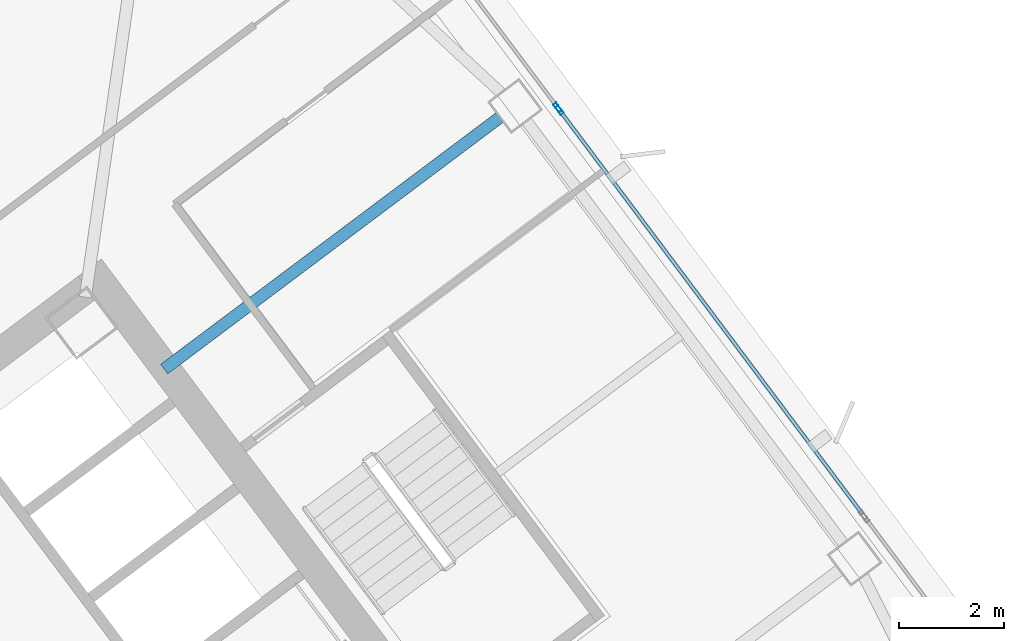
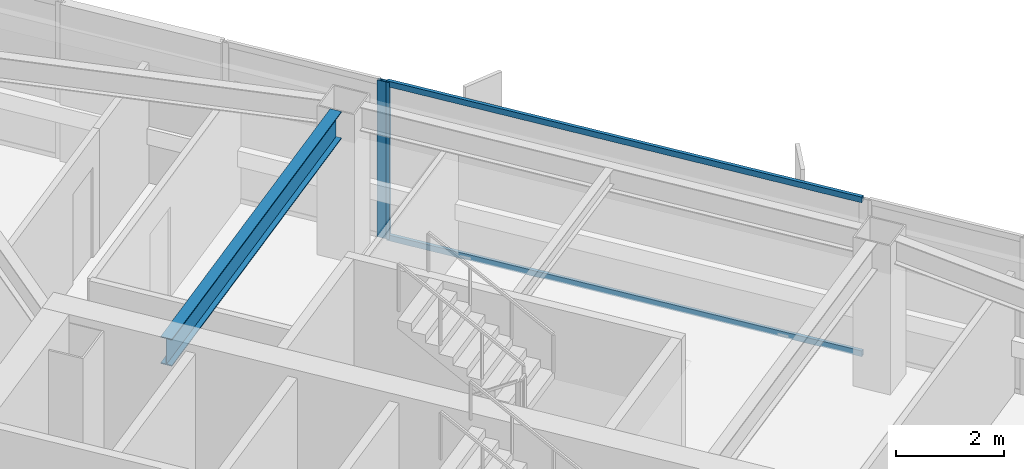
# One storey, part 32 of 46: 4 members, 1 beam, 2 elements without a shape of their own.
"""IFC4 building model written with IfcOpenShell, lengths in metres."""

import ifcopenshell
import ifcopenshell.guid

model = None  # the IFC model being written
_history = None  # IfcOwnerHistory: only IFC2X3 demands one
_inside = {}  # id of a spatial element -> (the spatial element, [elements in it])
_under = {}  # id of a project, library or spatial element -> (it, [spatial elements below it])
_declared = {}  # id of a project -> (the project, [libraries it declares])
_typed = {}  # id of a type object -> (the type object, [elements of that type])
_made_of = {}  # id of a material, layer set ... -> (it, [elements and type objects made of it])


def new_model(schema):
    """Start an empty IFC model of exactly this schema.

    Asked for "IFC4X3", IfcOpenShell would pick the latest addendum, in which some entities
    have other attributes; the version numbers below select the first issue.
    IFC2X3 requires an IfcOwnerHistory on every rooted entity: one is made here for all.
    """
    global model, _history
    if schema == "IFC4X3":
        model = ifcopenshell.file(schema_version=(4, 3, 0, 0))
    else:
        model = ifcopenshell.file(schema=schema)
    _inside.clear()
    _under.clear()
    _declared.clear()
    _typed.clear()
    _made_of.clear()
    _history = None
    if model.schema == "IFC2X3":
        org = make("IfcOrganization", Name="unknown")
        user = make(
            "IfcPersonAndOrganization",
            ThePerson=make("IfcPerson", FamilyName="unknown"),
            TheOrganization=org,
        )
        app = make(
            "IfcApplication",
            ApplicationDeveloper=org,
            Version="unknown",
            ApplicationFullName="unknown",
            ApplicationIdentifier="unknown",
        )
        _history = make(
            "IfcOwnerHistory",
            OwningUser=user,
            OwningApplication=app,
            ChangeAction="ADDED",
            CreationDate=0,
        )
    return model


def make(cls, **values):
    """One entity of the class cls with the attributes given. An attribute that is None is left unset."""
    return model.create_entity(
        cls, **{name: value for name, value in values.items() if value is not None}
    )


def rooted(cls, **values):
    """An entity with a GlobalId (a new one), such as an element, a storey or a relation."""
    return make(cls, GlobalId=ifcopenshell.guid.new(), OwnerHistory=_history, **values)


def si_unit(unit_type, name, prefix=None):
    """IfcSIUnit, for example si_unit("LENGTHUNIT", "METRE", prefix="MILLI")."""
    return make("IfcSIUnit", UnitType=unit_type, Prefix=prefix, Name=name)


def assignment(units):
    """IfcUnitAssignment: the units of a project."""
    return None if units is None else make("IfcUnitAssignment", Units=units)


def point(xyz):
    """IfcCartesianPoint."""
    return None if xyz is None else make("IfcCartesianPoint", Coordinates=xyz)


def direction(xyz):
    """IfcDirection."""
    return None if xyz is None else make("IfcDirection", DirectionRatios=xyz)


def frame(location, z_axis=None, x_axis=None):
    """IfcAxis2Placement3D, a coordinate frame: its origin and axes. An axis left out is left unset."""
    return make(
        "IfcAxis2Placement3D",
        Location=point(location),
        Axis=direction(z_axis),
        RefDirection=direction(x_axis),
    )


def frame_2d(location, x_axis=None):
    """IfcAxis2Placement2D, a coordinate frame in the plane: its origin and x axis."""
    return make(
        "IfcAxis2Placement2D", Location=point(location), RefDirection=direction(x_axis)
    )


def origin():
    """The frame at (0, 0, 0) with its axes left unset."""
    return frame((0.0, 0.0, 0.0))


def origin_2d():
    """The frame at (0, 0) in the plane with its x axis left unset."""
    return frame_2d((0.0, 0.0))


def place(relative_to, where):
    """IfcLocalPlacement: puts the frame where relative to a parent placement (None: the world)."""
    return make(
        "IfcLocalPlacement", PlacementRelTo=relative_to, RelativePlacement=where
    )


def context(
    kind, dimensions, precision=None, world=None, true_north=None, identifier=None
):
    """IfcGeometricRepresentationContext, for example the 3D "Model" context."""
    return make(
        "IfcGeometricRepresentationContext",
        ContextIdentifier=identifier,
        ContextType=kind,
        CoordinateSpaceDimension=dimensions,
        Precision=precision,
        WorldCoordinateSystem=world,
        TrueNorth=true_north,
    )


def subcontext(parent, identifier, kind, view, scale=None):
    """IfcGeometricRepresentationSubContext, for example "Body" below "Model"."""
    return make(
        "IfcGeometricRepresentationSubContext",
        ContextIdentifier=identifier,
        ContextType=kind,
        ParentContext=parent,
        TargetScale=scale,
        TargetView=view,
    )


def project(units=None, contexts=None):
    """IfcProject with its units and contexts."""
    return rooted(
        "IfcProject",
        Name="project",
        RepresentationContexts=contexts,
        UnitsInContext=assignment(units),
    )


def spatial(cls, under=None, at=None, **own):
    """A site, building, storey or space (cls), placed at a placement, below another one or the project."""
    s = rooted(cls, ObjectPlacement=at, **own)
    if under is not None:
        _under.setdefault(under.id(), (under, []))[1].append(s)
    return s


def profile(cls, at=None, kind="AREA", **sizes):
    """A parametric profile (cls). Its sizes go by their IFC names, for example OverallWidth=200.0."""
    return make(cls, ProfileType=kind, Position=at, **sizes)


def hollow_rectangle(**sizes):
    """IfcRectangleHollowProfileDef."""
    return profile("IfcRectangleHollowProfileDef", **sizes)


def i_section(**sizes):
    """IfcIShapeProfileDef."""
    return profile("IfcIShapeProfileDef", **sizes)


def extrude(swept, where, along, depth):
    """IfcExtrudedAreaSolid: the profile swept, set in the frame where, extruded along a direction by depth."""
    return make(
        "IfcExtrudedAreaSolid",
        SweptArea=swept,
        Position=where,
        ExtrudedDirection=direction(along),
        Depth=depth,
    )


def shape(context_of_items, identifier, shape_type, items):
    """IfcShapeRepresentation: the items that make up one representation, for example the "Body"."""
    return make(
        "IfcShapeRepresentation",
        ContextOfItems=context_of_items,
        RepresentationIdentifier=identifier,
        RepresentationType=shape_type,
        Items=items,
    )


def material(Name=None, Category=None):
    """IfcMaterial."""
    return make("IfcMaterial", Name=Name, Category=Category)


def material_profile(
    of_material, cross_section, Name=None, Category=None, Priority=None
):
    """IfcMaterialProfile: a cross section and its material."""
    return make(
        "IfcMaterialProfile",
        Name=Name,
        Material=of_material,
        Profile=cross_section,
        Priority=Priority,
        Category=Category,
    )


def profile_set(profiles, Name=None, composite=None):
    """IfcMaterialProfileSet."""
    return make(
        "IfcMaterialProfileSet",
        Name=Name,
        MaterialProfiles=profiles,
        CompositeProfile=composite,
    )


def made_of(thing, what):
    """Note that an element or type object is made of a material, layer set ...; save() writes the relation."""
    if what is not None:
        _made_of.setdefault(what.id(), (what, []))[1].append(thing)
    return thing


def type_object(cls, material=None, **own):
    """A type object (cls), such as IfcWallType, which elements share."""
    return made_of(rooted(cls, **own), material)


def element(
    cls,
    number,
    at=None,
    inside=None,
    cuts=None,
    type_object=None,
    material=None,
    context=None,
    identifier="Body",
    shape_type=None,
    held_by="IfcProductDefinitionShape",
    body=None,
    shapes=None,
    **own,
):
    """One element of the class cls, such as IfcWall. Its Tag is "e" and its number.

    at: its placement. inside: the storey or other place that contains it. cuts: it is an
    opening in that element (IfcRelVoidsElement). A single representation is given by context,
    identifier, shape_type and body (its items); several are given by shapes. held_by: the class
    of the entity that holds the representations. save() writes the other relations.
    """
    e = rooted(cls, Tag="e%d" % number, ObjectPlacement=at, **own)
    if body is not None:
        shapes = [shape(context, identifier, shape_type, body)]
    if shapes is not None:
        e.Representation = make(held_by, Representations=shapes)
    if inside is not None:
        _inside.setdefault(inside.id(), (inside, []))[1].append(e)
    if cuts is not None:
        rooted(
            "IfcRelVoidsElement", RelatingBuildingElement=cuts, RelatedOpeningElement=e
        )
    if type_object is not None:
        _typed.setdefault(type_object.id(), (type_object, []))[1].append(e)
    return made_of(e, material)


def aggregate(whole, parts):
    """IfcRelAggregates: a whole, such as a stair, and the parts it consists of."""
    return rooted("IfcRelAggregates", RelatingObject=whole, RelatedObjects=parts)


def save(model, path):
    """Write the relations noted so far, then the file.

    IfcRelAggregates (storeys below a building ...), IfcRelContainedInSpatialStructure (elements
    in a storey), IfcRelDefinesByType, IfcRelAssociatesMaterial and IfcRelDeclares: one each for
    every whole, place, type object, material and project.
    """
    for whole, parts in _under.values():
        aggregate(whole, parts)
    for where, things in _inside.values():
        rooted(
            "IfcRelContainedInSpatialStructure",
            RelatedElements=things,
            RelatingStructure=where,
        )
    for kind, things in _typed.values():
        rooted("IfcRelDefinesByType", RelatedObjects=things, RelatingType=kind)
    for what, things in _made_of.values():
        rooted("IfcRelAssociatesMaterial", RelatedObjects=things, RelatingMaterial=what)
    for by, libraries in _declared.values():
        rooted("IfcRelDeclares", RelatingContext=by, RelatedDefinitions=libraries)
    model.write(path)


model = new_model("IFC4")

# Units and contexts
model_context = context("Model", 3, precision=1e-05, world=origin(), true_north=direction((0.0, 1.0)))
body_context = subcontext(model_context, "Body", "Model", "MODEL_VIEW")
ifc_project = project(units=[si_unit("LENGTHUNIT", "METRE"), si_unit("AREAUNIT", "SQUARE_METRE"), si_unit("VOLUMEUNIT", "CUBIC_METRE"), si_unit("PLANEANGLEUNIT", "RADIAN"), si_unit("MASSUNIT", "GRAM", prefix="KILO")], contexts=[model_context])

# Site, building, storey
site_placement = place(None, origin())
site = spatial("IfcSite", under=ifc_project, at=site_placement, CompositionType="ELEMENT")
building_placement = place(site_placement, origin())
building = spatial("IfcBuilding", under=site, at=building_placement, Name="Tashvorn Skyway Center", CompositionType="ELEMENT")
storey_placement = place(building_placement, frame((0.0, 0.0, 167.64990234375)))
storey = spatial("IfcBuildingStorey", under=building, at=storey_placement, Name="L45", CompositionType="ELEMENT", Elevation=167.64990234375)

# Beam
ifc_material_1 = material(Name="Steel ASTM A992 Grade 50", Category="steel")
ifc_material_profile_1 = material_profile(ifc_material_1, i_section(OverallWidth=0.22998046875, OverallDepth=0.616943359375, WebThickness=0.01318359375, FlangeThickness=0.022216796875, at=origin_2d()), Name="W24X94")
ifc_profile_set_1 = profile_set([ifc_material_profile_1], Name="Steel ASTM A992 Grade 50")
beam_type = type_object("IfcBeamType", Name="BM-BEAM-W24X94", PredefinedType="BEAM", material=ifc_profile_set_1)
beam_placement = place(storey_placement, frame((123.384033203125, 45.7880859375, 3.0615234375), z_axis=(-0.800003662027, -0.599995117266, 0.0), x_axis=(0.599995117266, -0.800003662027, 0.0)))
element("IfcBeam", 1, at=beam_placement, inside=storey, type_object=beam_type, Name="Tower 2 L45 Primary Floor Girder FC-E2", PredefinedType="BEAM", context=body_context, shape_type="SweptSolid", body=[
    extrude(i_section(OverallWidth=0.22998046875, OverallDepth=0.616943359375, WebThickness=0.01318359375, FlangeThickness=0.022216796875, at=origin_2d()), origin(), (0.0, 0.0, 1.0), 8.000244140625),
])

# Curtain wall, member
ifc_material_2 = material(Name="Thermally broken bronze-anodized aluminium 6063-T6", Category="aluminium")
curtain_wall_type = type_object("IfcCurtainWallType", Name="CW-CW-Z4", PredefinedType="NOTDEFINED", material=ifc_material_2)
curtain_wall_1_placement = place(storey_placement, origin())
curtain_wall_1 = element("IfcCurtainWall", 2, at=curtain_wall_1_placement, inside=storey, type_object=curtain_wall_type, Name="Tower 2 L45 East Unitised Curtain Wall Glazing Group 2", PredefinedType="NOTDEFINED")
ifc_material_profile_2 = material_profile(ifc_material_2, hollow_rectangle(XDim=0.070068359375, YDim=0.179931640625, WallThickness=0.00390625, at=origin_2d()), Name="ALU-MULL-70x180")
ifc_profile_set_2 = profile_set([ifc_material_profile_2], Name="Thermally broken bronze-anodized aluminium 6063-T6")
member_type_1 = type_object("IfcMemberType", Name="CWM-CW-Z4", PredefinedType="MULLION", material=ifc_profile_set_2)
member_1_placement = place(storey_placement, frame((124.487060546875, 45.98388671875, 0.0), z_axis=(0.0, 0.0, 1.0), x_axis=(0.799999999998, 0.600000000002, 0.0)))
member_1 = element("IfcMember", 3, at=member_1_placement, type_object=member_type_1, Name="CW-Z4 mullion 2", PredefinedType="MULLION", context=body_context, shape_type="SweptSolid", body=[
    extrude(hollow_rectangle(XDim=0.070068359375, YDim=0.179931640625, WallThickness=0.00390625, at=origin_2d()), origin(), (0.0, 0.0, 1.0), 3.550048828125),
])
aggregate(curtain_wall_1, [member_1])

# Curtain wall, members
curtain_wall_2_placement = place(storey_placement, origin())
curtain_wall_2 = element("IfcCurtainWall", 4, at=curtain_wall_2_placement, inside=storey, type_object=curtain_wall_type, Name="Tower 2 L45 East Unitised Curtain Wall Glazing Group 3", PredefinedType="NOTDEFINED")
member_2_placement = place(storey_placement, frame((124.529052734375, 45.927978515625, 0.0), z_axis=(0.0, 0.0, 1.0), x_axis=(0.799999999998, 0.600000000002, 0.0)))
member_2 = element("IfcMember", 5, at=member_2_placement, type_object=member_type_1, Name="CW-Z4 mullion 1", PredefinedType="MULLION", context=body_context, shape_type="SweptSolid", body=[
    extrude(hollow_rectangle(XDim=0.070068359375, YDim=0.179931640625, WallThickness=0.00390625, at=origin_2d()), origin(), (0.0, 0.0, 1.0), 3.550048828125),
])
ifc_material_profile_3 = material_profile(ifc_material_2, hollow_rectangle(XDim=0.070068359375, YDim=0.1298828125, WallThickness=0.00390625, at=origin_2d()), Name="ALU-TRAN-70x130")
ifc_profile_set_3 = profile_set([ifc_material_profile_3], Name="Thermally broken bronze-anodized aluminium 6063-T6")
member_type_2 = type_object("IfcMemberType", Name="CWT-CW-Z4", PredefinedType="USERDEFINED", material=ifc_profile_set_3)
member_3_placement = place(storey_placement, frame((124.550048828125, 45.89990234375, 0.03515625), z_axis=(0.600012232595, -0.799990825408, 0.0), x_axis=(0.799990825408, 0.600012232595, 0.0)))
member_3 = element("IfcMember", 6, at=member_3_placement, type_object=member_type_2, Name="CW-Z4 transom 1.1", ObjectType="TRANSOM", PredefinedType="USERDEFINED", context=body_context, shape_type="SweptSolid", body=[
    extrude(hollow_rectangle(XDim=0.070068359375, YDim=0.1298828125, WallThickness=0.00390625, at=origin_2d()), origin(), (0.0, 0.0, 1.0), 9.579833984375),
])
member_4_placement = place(storey_placement, frame((124.550048828125, 45.89990234375, 3.51513671875), z_axis=(0.600012232595, -0.799990825408, 0.0), x_axis=(0.799990825408, 0.600012232595, 0.0)))
member_4 = element("IfcMember", 7, at=member_4_placement, type_object=member_type_2, Name="CW-Z4 transom 1.2", ObjectType="TRANSOM", PredefinedType="USERDEFINED", context=body_context, shape_type="SweptSolid", body=[
    extrude(hollow_rectangle(XDim=0.070068359375, YDim=0.1298828125, WallThickness=0.00390625, at=origin_2d()), origin(), (0.0, 0.0, 1.0), 9.579833984375),
])
aggregate(curtain_wall_2, [member_2, member_3, member_4])

save(model, "model.ifc")
